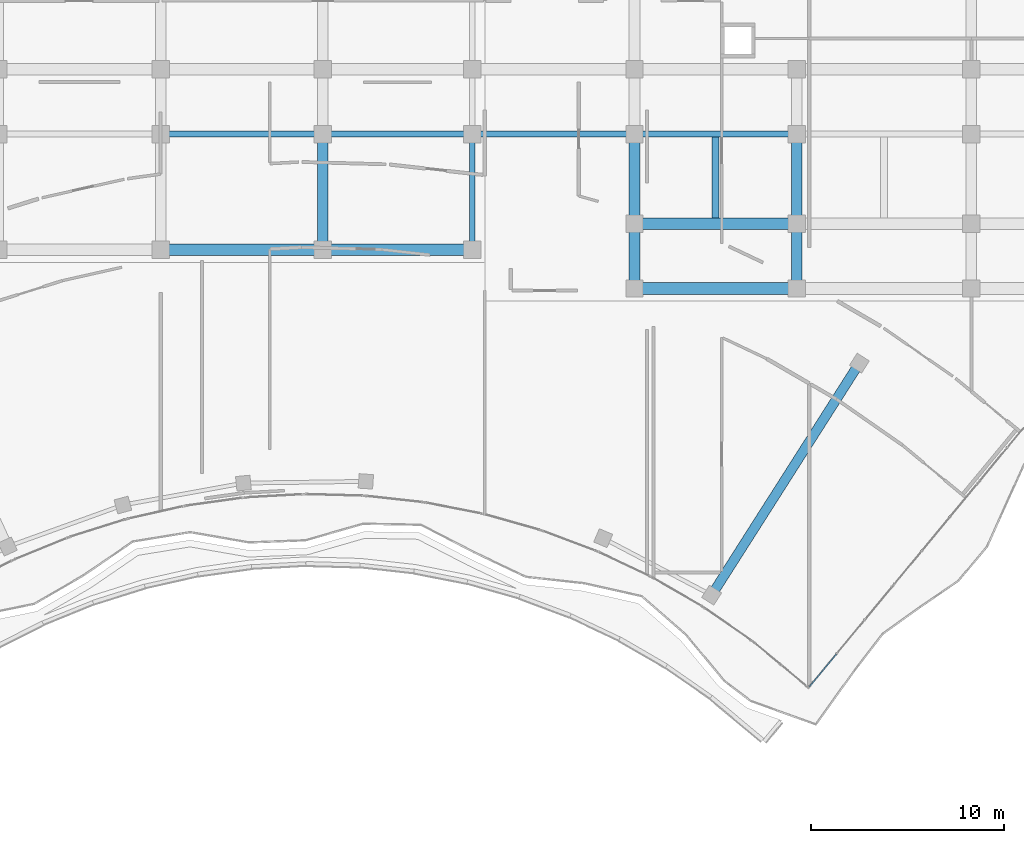
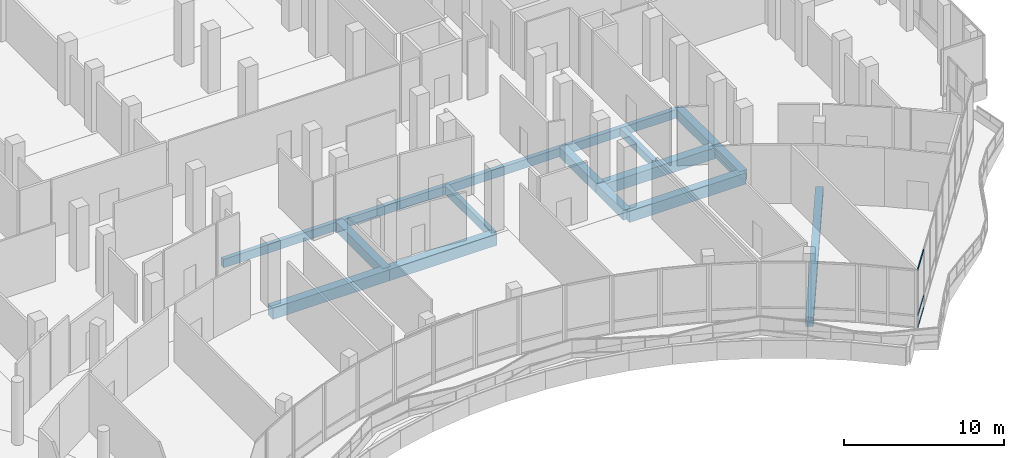
# One storey, part 104 of 168: 16 beams, 3 members, 1 element without a shape of its own.
"""IFC4 building model written with IfcOpenShell, lengths in metres."""

from ifc_helpers import new_model, si_unit, direction, frame, origin, origin_2d, place, context, subcontext, project, spatial, rectangle, hollow_rectangle, extrude, material, material_profile, profile_set, type_object, element, aggregate, save


model = new_model("IFC4")

# Units and contexts
model_context = context("Model", 3, precision=1e-05, world=origin(), true_north=direction((0.0, 1.0)))
body_context = subcontext(model_context, "Body", "Model", "MODEL_VIEW")
ifc_project = project(units=[si_unit("LENGTHUNIT", "METRE"), si_unit("AREAUNIT", "SQUARE_METRE"), si_unit("VOLUMEUNIT", "CUBIC_METRE"), si_unit("PLANEANGLEUNIT", "RADIAN"), si_unit("MASSUNIT", "GRAM", prefix="KILO")], contexts=[model_context])

# Site, building, storey
site_placement = place(None, origin())
site = spatial("IfcSite", under=ifc_project, at=site_placement, CompositionType="ELEMENT")
building_placement = place(site_placement, origin())
building = spatial("IfcBuilding", under=site, at=building_placement, Name="Selatvlak General Hospital", CompositionType="ELEMENT")
storey_placement = place(building_placement, frame((0.0, 0.0, 5.39990234375)))
storey = spatial("IfcBuildingStorey", under=building, at=storey_placement, Name="L01", CompositionType="ELEMENT", Elevation=5.39990234375)

# Beams
ifc_material_1 = material(Name="Concrete C40/50", Category="concrete")
ifc_material_profile_1 = material_profile(ifc_material_1, rectangle(XDim=0.60009765625, YDim=0.85009765625, at=origin_2d()), Name="RC-BM 600x850")
ifc_profile_set_1 = profile_set([ifc_material_profile_1], Name="Concrete C40/50")
beam_type_1 = type_object("IfcBeamType", Name="BM-G01", PredefinedType="BEAM", material=ifc_profile_set_1)
for number, where, z_axis, x_axis, name in (
    (1, (156.550048828125, 64.64990234375, -0.744873046875), (1.0, 0.0, 0.0), (0.0, 1.0, 0.0), "Beam BMR-L01-0392"),
    (2, (132.0, 66.64990234375, -0.744873046875), (1.0, 0.0, 0.0), (0.0, 1.0, 0.0), "Beam BMR-L01-0397"),
):
    element("IfcBeam", number, at=place(storey_placement, frame(where, z_axis=z_axis, x_axis=x_axis)), inside=storey, type_object=beam_type_1, Name=name, PredefinedType="BEAM", context=body_context, shape_type="SweptSolid", body=[
        extrude(rectangle(XDim=0.60009765625, YDim=0.85009765625, at=origin_2d()), origin(), (0.0, 0.0, 1.0), 8.39990234375),
    ])
beam_1_placement = place(storey_placement, frame((140.39990234375, 66.64990234375, -0.744873046875), z_axis=(1.0, 0.0, 0.0), x_axis=(0.0, 1.0, 0.0)))
element("IfcBeam", 3, at=beam_1_placement, inside=storey, type_object=beam_type_1, Name="Beam BMR-L01-0398", PredefinedType="BEAM", context=body_context, shape_type="SweptSolid", body=[
    extrude(rectangle(XDim=0.60009765625, YDim=0.85009765625, at=origin_2d()), origin(), (0.0, 0.0, 1.0), 7.75),
])
beam_2_placement = place(storey_placement, frame((156.550048828125, 68.0, -0.744873046875), z_axis=(1.0, 0.0, 0.0), x_axis=(0.0, 1.0, 0.0)))
element("IfcBeam", 4, at=beam_2_placement, inside=storey, type_object=beam_type_1, Name="Beam BMR-L01-0403", PredefinedType="BEAM", context=body_context, shape_type="SweptSolid", body=[
    extrude(rectangle(XDim=0.60009765625, YDim=0.85009765625, at=origin_2d()), origin(), (0.0, 0.0, 1.0), 8.39990234375),
])
ifc_material_profile_2 = material_profile(ifc_material_1, rectangle(XDim=0.550048828125, YDim=0.75, at=origin_2d()), Name="RC-BM 550x750")
ifc_profile_set_2 = profile_set([ifc_material_profile_2], Name="Concrete C40/50")
beam_type_2 = type_object("IfcBeamType", Name="BM-G02", PredefinedType="BEAM", material=ifc_profile_set_2)
beam_3_placement = place(storey_placement, frame((140.39990234375, 66.64990234375, -0.69482421875), z_axis=(0.0, 1.0, 0.0), x_axis=(-1.0, 0.0, 0.0)))
element("IfcBeam", 5, at=beam_3_placement, inside=storey, type_object=beam_type_2, Name="Beam BMR-L01-0640", PredefinedType="BEAM", context=body_context, shape_type="SweptSolid", body=[
    extrude(rectangle(XDim=0.550048828125, YDim=0.75, at=origin_2d()), origin(), (0.0, 0.0, 1.0), 6.0),
])
beam_4_placement = place(storey_placement, frame((156.550048828125, 64.64990234375, -0.69482421875), z_axis=(0.0, 1.0, 0.0), x_axis=(-1.0, 0.0, 0.0)))
element("IfcBeam", 6, at=beam_4_placement, inside=storey, type_object=beam_type_2, Name="Beam BMR-L01-0656", PredefinedType="BEAM", context=body_context, shape_type="SweptSolid", body=[
    extrude(rectangle(XDim=0.550048828125, YDim=0.75, at=origin_2d()), origin(), (0.0, 0.0, 1.0), 3.35009765625),
])
beam_5_placement = place(storey_placement, frame((156.550048828125, 68.0, -0.69482421875), z_axis=(0.0, 1.0, 0.0), x_axis=(-1.0, 0.0, 0.0)))
element("IfcBeam", 7, at=beam_5_placement, inside=storey, type_object=beam_type_2, Name="Beam BMR-L01-0657", PredefinedType="BEAM", context=body_context, shape_type="SweptSolid", body=[
    extrude(rectangle(XDim=0.550048828125, YDim=0.75, at=origin_2d()), origin(), (0.0, 0.0, 1.0), 4.64990234375),
])
beam_6_placement = place(storey_placement, frame((164.949951171875, 64.64990234375, -0.69482421875), z_axis=(0.0, 1.0, 0.0), x_axis=(-1.0, 0.0, 0.0)))
element("IfcBeam", 8, at=beam_6_placement, inside=storey, type_object=beam_type_2, Name="Beam BMR-L01-0666", PredefinedType="BEAM", context=body_context, shape_type="SweptSolid", body=[
    extrude(rectangle(XDim=0.550048828125, YDim=0.75, at=origin_2d()), origin(), (0.0, 0.0, 1.0), 3.35009765625),
])
beam_7_placement = place(storey_placement, frame((164.949951171875, 68.0, -0.69482421875), z_axis=(0.0, 1.0, 0.0), x_axis=(-1.0, 0.0, 0.0)))
element("IfcBeam", 9, at=beam_7_placement, inside=storey, type_object=beam_type_2, Name="Beam BMR-L01-0667", PredefinedType="BEAM", context=body_context, shape_type="SweptSolid", body=[
    extrude(rectangle(XDim=0.550048828125, YDim=0.75, at=origin_2d()), origin(), (0.0, 0.0, 1.0), 4.64990234375),
])
ifc_material_profile_3 = material_profile(ifc_material_1, rectangle(XDim=0.5, YDim=0.699951171875, at=origin_2d()), Name="RC-BM 500x700")
ifc_profile_set_3 = profile_set([ifc_material_profile_3], Name="Concrete C40/50")
beam_type_3 = type_object("IfcBeamType", Name="BM-G03", PredefinedType="BEAM", material=ifc_profile_set_3)
beam_8_placement = place(storey_placement, frame((168.197998046875, 60.783935546875, -0.669921875), z_axis=(-0.537073919926, -0.843535182749, 0.0), x_axis=(0.843535182749, -0.537073919926, 0.0)))
element("IfcBeam", 10, at=beam_8_placement, inside=storey, type_object=beam_type_3, Name="Beam BMR-L01-0735", PredefinedType="BEAM", context=body_context, shape_type="SweptSolid", body=[
    extrude(rectangle(XDim=0.5, YDim=0.699951171875, at=origin_2d()), origin(), (0.0, 0.0, 1.0), 14.24951171875),
])
ifc_material_profile_4 = material_profile(ifc_material_1, rectangle(XDim=0.35009765625, YDim=0.550048828125, at=origin_2d()), Name="RC-BM 350x550")
ifc_profile_set_4 = profile_set([ifc_material_profile_4], Name="Concrete C40/50")
beam_type_4 = type_object("IfcBeamType", Name="BM-J01", PredefinedType="JOIST", material=ifc_profile_set_4)
beam_9_placement = place(storey_placement, frame((160.75, 68.300048828125, -0.594970703125), z_axis=(0.0, 1.0, 0.0), x_axis=(-1.0, 0.0, 0.0)))
element("IfcBeam", 11, at=beam_9_placement, inside=storey, type_object=beam_type_4, Name="Beam BMR-L01-0693", PredefinedType="JOIST", context=body_context, shape_type="SweptSolid", body=[
    extrude(rectangle(XDim=0.35009765625, YDim=0.550048828125, at=origin_2d()), origin(), (0.0, 0.0, 1.0), 4.199951171875),
])
ifc_material_profile_5 = material_profile(ifc_material_1, rectangle(XDim=0.300048828125, YDim=0.64990234375, at=origin_2d()), Name="RC-SP 300x650")
ifc_profile_set_5 = profile_set([ifc_material_profile_5], Name="Concrete C40/50")
beam_type_5 = type_object("IfcBeamType", Name="BM-SP1", PredefinedType="SPANDREL", material=ifc_profile_set_5)
beam_10_placement = place(storey_placement, frame((132.0, 72.64990234375, -0.64501953125), z_axis=(1.0, 0.0, 0.0), x_axis=(0.0, 1.0, 0.0)))
element("IfcBeam", 12, at=beam_10_placement, inside=storey, type_object=beam_type_5, Name="Beam BMR-L01-0408", PredefinedType="SPANDREL", context=body_context, shape_type="SweptSolid", body=[
    extrude(rectangle(XDim=0.300048828125, YDim=0.64990234375, at=origin_2d()), origin(), (0.0, 0.0, 1.0), 8.39990234375),
])
beam_11_placement = place(storey_placement, frame((140.39990234375, 72.64990234375, -0.64501953125), z_axis=(1.0, 0.0, 0.0), x_axis=(0.0, 1.0, 0.0)))
element("IfcBeam", 13, at=beam_11_placement, inside=storey, type_object=beam_type_5, Name="Beam BMR-L01-0409", PredefinedType="SPANDREL", context=body_context, shape_type="SweptSolid", body=[
    extrude(rectangle(XDim=0.300048828125, YDim=0.64990234375, at=origin_2d()), origin(), (0.0, 0.0, 1.0), 7.75),
])
beam_12_placement = place(storey_placement, frame((148.14990234375, 72.64990234375, -0.64501953125), z_axis=(1.0, 0.0, 0.0), x_axis=(0.0, 1.0, 0.0)))
element("IfcBeam", 14, at=beam_12_placement, inside=storey, type_object=beam_type_5, Name="Beam BMR-L01-0410", PredefinedType="SPANDREL", context=body_context, shape_type="SweptSolid", body=[
    extrude(rectangle(XDim=0.300048828125, YDim=0.64990234375, at=origin_2d()), origin(), (0.0, 0.0, 1.0), 8.400146484375),
])
beam_13_placement = place(storey_placement, frame((156.550048828125, 72.64990234375, -0.64501953125), z_axis=(1.0, 0.0, 0.0), x_axis=(0.0, 1.0, 0.0)))
element("IfcBeam", 15, at=beam_13_placement, inside=storey, type_object=beam_type_5, Name="Beam BMR-L01-0411", PredefinedType="SPANDREL", context=body_context, shape_type="SweptSolid", body=[
    extrude(rectangle(XDim=0.300048828125, YDim=0.64990234375, at=origin_2d()), origin(), (0.0, 0.0, 1.0), 8.39990234375),
])
beam_14_placement = place(storey_placement, frame((148.14990234375, 66.64990234375, -0.64501953125), z_axis=(0.0, 1.0, 0.0), x_axis=(-1.0, 0.0, 0.0)))
element("IfcBeam", 16, at=beam_14_placement, inside=storey, type_object=beam_type_5, Name="Beam BMR-L01-0649", PredefinedType="SPANDREL", context=body_context, shape_type="SweptSolid", body=[
    extrude(rectangle(XDim=0.300048828125, YDim=0.64990234375, at=origin_2d()), origin(), (0.0, 0.0, 1.0), 6.0),
])

# Curtain wall, members
ifc_material_2 = material(Name="Solar-control Low-E double glazing", Category="glass")
curtain_wall_type = type_object("IfcCurtainWallType", Name="CW-CW-01", PredefinedType="USERDEFINED", material=ifc_material_2)
curtain_wall_placement = place(storey_placement, origin())
curtain_wall = element("IfcCurtainWall", 17, at=curtain_wall_placement, inside=storey, type_object=curtain_wall_type, Name="Glazed facade curtain wall CW-L01-0143", ObjectType="UNITISED CURTAIN WALL", PredefinedType="USERDEFINED")
ifc_material_3 = material(Name="Dark anodised aluminium mullion", Category="aluminium")
ifc_material_profile_6 = material_profile(ifc_material_3, hollow_rectangle(XDim=0.06494140625, YDim=0.1201171875, WallThickness=0.00390625, at=origin_2d()), Name="AL-TRN 65x120x4")
ifc_profile_set_6 = profile_set([ifc_material_profile_6], Name="Dark anodised aluminium mullion")
member_type = type_object("IfcMemberType", Name="CWT-01", PredefinedType="USERDEFINED", material=ifc_profile_set_6)
member_1_placement = place(storey_placement, frame((167.005615234375, 45.705322265625, 0.03271484375), z_axis=(-0.637737202299, -0.770254023556, 0.0), x_axis=(0.770254023556, -0.637737202299, 0.0)))
member_1 = element("IfcMember", 18, at=member_1_placement, type_object=member_type, Name="CW-01 transom 3.1", ObjectType="TRANSOM", PredefinedType="USERDEFINED", context=body_context, shape_type="SweptSolid", body=[
    extrude(hollow_rectangle(XDim=0.06494140625, YDim=0.1201171875, WallThickness=0.00390625, at=origin_2d()), origin(), (0.0, 0.0, 1.0), 2.181396484375),
])
member_2_placement = place(storey_placement, frame((167.005615234375, 45.705322265625, 0.9501953125), z_axis=(-0.637737202299, -0.770254023556, 0.0), x_axis=(0.770254023556, -0.637737202299, 0.0)))
member_2 = element("IfcMember", 19, at=member_2_placement, type_object=member_type, Name="CW-01 transom 3.2", ObjectType="TRANSOM", PredefinedType="USERDEFINED", context=body_context, shape_type="SweptSolid", body=[
    extrude(hollow_rectangle(XDim=0.06494140625, YDim=0.1201171875, WallThickness=0.00390625, at=origin_2d()), origin(), (0.0, 0.0, 1.0), 2.181396484375),
])
member_3_placement = place(storey_placement, frame((167.005615234375, 45.705322265625, 4.41259765625), z_axis=(-0.637737202299, -0.770254023556, 0.0), x_axis=(0.770254023556, -0.637737202299, 0.0)))
member_3 = element("IfcMember", 20, at=member_3_placement, type_object=member_type, Name="CW-01 transom 3.3", ObjectType="TRANSOM", PredefinedType="USERDEFINED", context=body_context, shape_type="SweptSolid", body=[
    extrude(hollow_rectangle(XDim=0.06494140625, YDim=0.1201171875, WallThickness=0.00390625, at=origin_2d()), origin(), (0.0, 0.0, 1.0), 2.181396484375),
])
aggregate(curtain_wall, [member_1, member_2, member_3])

save(model, "model.ifc")
